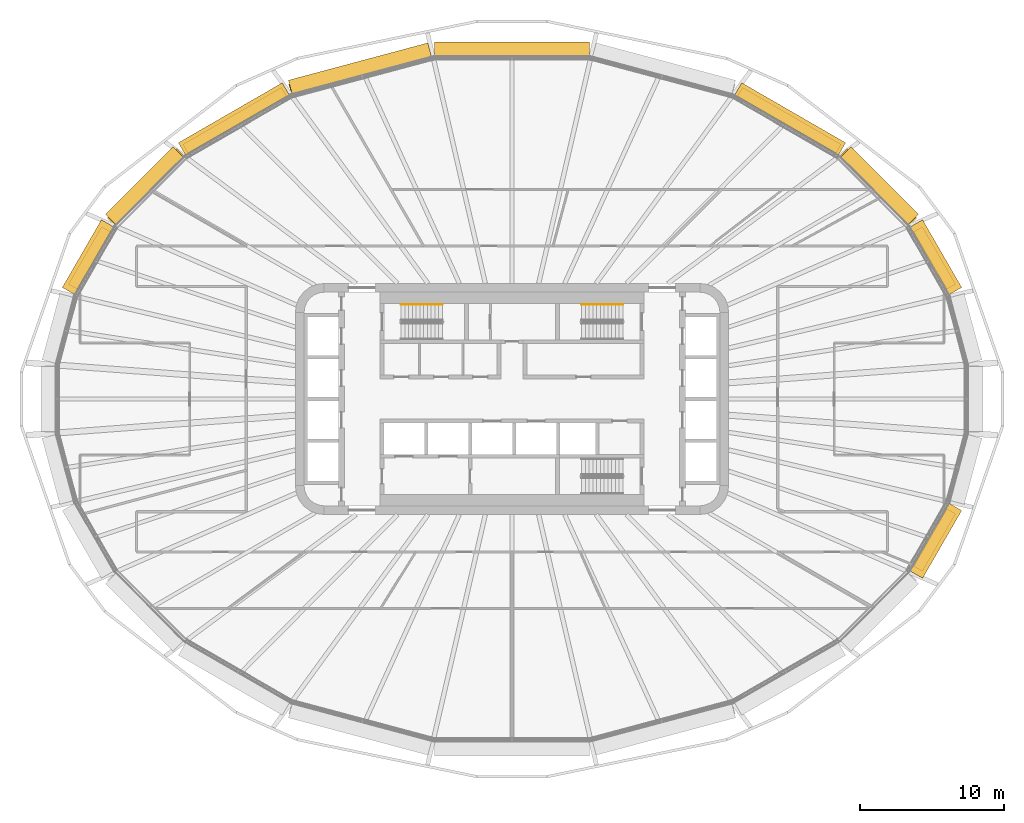
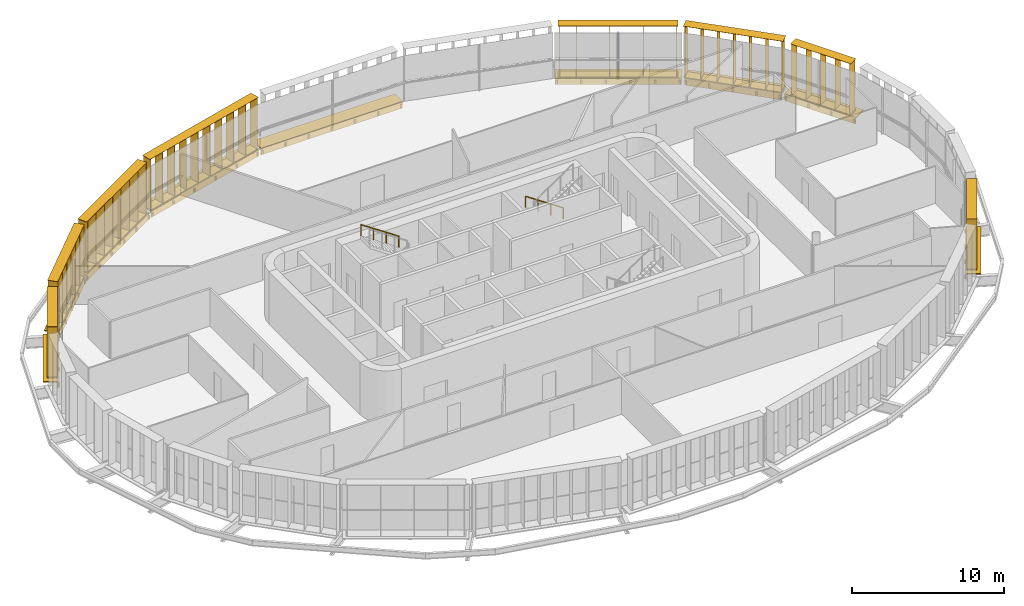
# One storey, part 24 of 25: 17 shading devices, 2 railings.
"""IFC4 building model written with IfcOpenShell, lengths in metres."""

from ifc_helpers import new_model, si_unit, direction, frame, origin, origin_2d, place, context, subcontext, project, spatial, rectangle, circle, extrude, material, type_object, element, save


model = new_model("IFC4")

# Units and contexts
model_context = context("Model", 3, precision=1e-05, world=origin(), true_north=direction((0.0, 1.0)))
body_context = subcontext(model_context, "Body", "Model", "MODEL_VIEW")
ifc_project = project(units=[si_unit("LENGTHUNIT", "METRE"), si_unit("AREAUNIT", "SQUARE_METRE"), si_unit("VOLUMEUNIT", "CUBIC_METRE"), si_unit("PLANEANGLEUNIT", "RADIAN"), si_unit("MASSUNIT", "GRAM", prefix="KILO")], contexts=[model_context])

# Site, building, storey
site_placement = place(None, origin())
site = spatial("IfcSite", under=ifc_project, at=site_placement, CompositionType="ELEMENT")
building_placement = place(site_placement, origin())
building = spatial("IfcBuilding", under=site, at=building_placement, Name="Sahrelin Media Tower", CompositionType="ELEMENT")
storey_placement = place(building_placement, frame((0.0, 0.0, 144.0)))
storey = spatial("IfcBuildingStorey", under=building, at=storey_placement, Name="L29", CompositionType="ELEMENT", Elevation=144.0)

# Shading devices
ifc_material_1 = material(Name="Champagne anodised aluminium 6063-T6", Category="aluminium")
shading_device_type_1 = type_object("IfcShadingDeviceType", Name="Fin cassette", PredefinedType="USERDEFINED", material=ifc_material_1)
placement_1 = place(storey_placement, frame((28.8984375, 9.5546875, 0.0), z_axis=(0.0, 0.0, 1.0), x_axis=(0.500011000363, -0.866019052629, 0.0)))
element("IfcShadingDevice", 1, at=placement_1, inside=storey, type_object=shading_device_type_1, Name="L29:FIN:L29-02", ObjectType="FIN", PredefinedType="USERDEFINED", context=body_context, shape_type="SweptSolid", body=[
    extrude(rectangle(XDim=4.60009765625, YDim=0.699951171875, at=origin_2d()), frame((0.0, 0.419921875, 0.0)), (0.0, 0.0, 1.0), 0.02001953125),
    extrude(rectangle(XDim=4.60009765625, YDim=0.699951171875, at=origin_2d()), frame((0.0, 0.419921875, 4.10009765625)), (0.0, 0.0, 1.0), 0.02001953125),
    extrude(rectangle(XDim=0.02001953125, YDim=0.699951171875, at=origin_2d()), frame((-2.199951171875, 0.419921875, 0.010009765625), z_axis=(0.0, 0.0, 1.0), x_axis=(1.0, 0.0, 0.0)), (0.0, 0.0, 1.0), 4.10009765625),
    extrude(rectangle(XDim=0.02001953125, YDim=0.699951171875, at=origin_2d()), frame((-1.10009765625, 0.419921875, 0.010009765625), z_axis=(0.0, 0.0, 1.0), x_axis=(1.0, 0.0, 0.0)), (0.0, 0.0, 1.0), 4.10009765625),
    extrude(rectangle(XDim=0.02001953125, YDim=0.699951171875, at=origin_2d()), frame((0.0, 0.419921875, 0.010009765625), z_axis=(0.0, 0.0, 1.0), x_axis=(1.0, 0.0, 0.0)), (0.0, 0.0, 1.0), 4.10009765625),
    extrude(rectangle(XDim=0.02001953125, YDim=0.699951171875, at=origin_2d()), frame((1.10009765625, 0.419921875, 0.010009765625), z_axis=(0.0, 0.0, 1.0), x_axis=(1.0, 0.0, 0.0)), (0.0, 0.0, 1.0), 4.10009765625),
    extrude(rectangle(XDim=0.02001953125, YDim=0.699951171875, at=origin_2d()), frame((2.199951171875, 0.419921875, 0.010009765625), z_axis=(0.0, 0.0, 1.0), x_axis=(1.0, 0.0, 0.0)), (0.0, 0.0, 1.0), 4.10009765625),
])
placement_2 = place(storey_placement, frame((25.08349609375, 14.39697265625, 0.0), z_axis=(0.0, 0.0, 1.0), x_axis=(0.707106781187, -0.707106781187, 0.0)))
element("IfcShadingDevice", 2, at=placement_2, inside=storey, type_object=shading_device_type_1, Name="L29:FIN:L29-03", ObjectType="FIN", PredefinedType="USERDEFINED", context=body_context, shape_type="SweptSolid", body=[
    extrude(rectangle(XDim=6.800048828125, YDim=0.699951171875, at=origin_2d()), frame((0.0, 0.419921875, 0.0)), (0.0, 0.0, 1.0), 0.02001953125),
    extrude(rectangle(XDim=6.800048828125, YDim=0.699951171875, at=origin_2d()), frame((0.0, 0.419921875, 4.10009765625)), (0.0, 0.0, 1.0), 0.02001953125),
    extrude(rectangle(XDim=0.02001953125, YDim=0.699951171875, at=origin_2d()), frame((-3.300048828125, 0.419921875, 0.010009765625), z_axis=(0.0, 0.0, 1.0), x_axis=(1.0, 0.0, 0.0)), (0.0, 0.0, 1.0), 4.10009765625),
    extrude(rectangle(XDim=0.02001953125, YDim=0.699951171875, at=origin_2d()), frame((-2.199951171875, 0.419921875, 0.010009765625), z_axis=(0.0, 0.0, 1.0), x_axis=(1.0, 0.0, 0.0)), (0.0, 0.0, 1.0), 4.10009765625),
    extrude(rectangle(XDim=0.02001953125, YDim=0.699951171875, at=origin_2d()), frame((-1.10009765625, 0.419921875, 0.010009765625), z_axis=(0.0, 0.0, 1.0), x_axis=(1.0, 0.0, 0.0)), (0.0, 0.0, 1.0), 4.10009765625),
    extrude(rectangle(XDim=0.02001953125, YDim=0.699951171875, at=origin_2d()), frame((0.0, 0.419921875, 0.010009765625), z_axis=(0.0, 0.0, 1.0), x_axis=(1.0, 0.0, 0.0)), (0.0, 0.0, 1.0), 4.10009765625),
    extrude(rectangle(XDim=0.02001953125, YDim=0.699951171875, at=origin_2d()), frame((1.10009765625, 0.419921875, 0.010009765625), z_axis=(0.0, 0.0, 1.0), x_axis=(1.0, 0.0, 0.0)), (0.0, 0.0, 1.0), 4.10009765625),
    extrude(rectangle(XDim=0.02001953125, YDim=0.699951171875, at=origin_2d()), frame((2.199951171875, 0.419921875, 0.010009765625), z_axis=(0.0, 0.0, 1.0), x_axis=(1.0, 0.0, 0.0)), (0.0, 0.0, 1.0), 4.10009765625),
    extrude(rectangle(XDim=0.02001953125, YDim=0.699951171875, at=origin_2d()), frame((3.300048828125, 0.419921875, 0.010009765625), z_axis=(0.0, 0.0, 1.0), x_axis=(1.0, 0.0, 0.0)), (0.0, 0.0, 1.0), 4.10009765625),
])
placement_3 = place(storey_placement, frame((18.990966796875, 18.93359375, 0.0), z_axis=(0.0, 0.0, 1.0), x_axis=(0.866019052629, -0.500011000363, 0.0)))
element("IfcShadingDevice", 3, at=placement_3, inside=storey, type_object=shading_device_type_1, Name="L29:FIN:L29-04", ObjectType="FIN", PredefinedType="USERDEFINED", context=body_context, shape_type="SweptSolid", body=[
    extrude(rectangle(XDim=7.89990234375, YDim=0.699951171875, at=origin_2d()), frame((0.0, 0.419921875, 0.0)), (0.0, 0.0, 1.0), 0.02001953125),
    extrude(rectangle(XDim=7.89990234375, YDim=0.699951171875, at=origin_2d()), frame((0.0, 0.419921875, 4.10009765625)), (0.0, 0.0, 1.0), 0.02001953125),
    extrude(rectangle(XDim=0.02001953125, YDim=0.699951171875, at=origin_2d()), frame((-3.85009765625, 0.419921875, 0.010009765625), z_axis=(0.0, 0.0, 1.0), x_axis=(1.0, 0.0, 0.0)), (0.0, 0.0, 1.0), 4.10009765625),
    extrude(rectangle(XDim=0.02001953125, YDim=0.699951171875, at=origin_2d()), frame((-2.75, 0.419921875, 0.010009765625), z_axis=(0.0, 0.0, 1.0), x_axis=(1.0, 0.0, 0.0)), (0.0, 0.0, 1.0), 4.10009765625),
    extrude(rectangle(XDim=0.02001953125, YDim=0.699951171875, at=origin_2d()), frame((-1.64990234375, 0.419921875, 0.010009765625), z_axis=(0.0, 0.0, 1.0), x_axis=(1.0, 0.0, 0.0)), (0.0, 0.0, 1.0), 4.10009765625),
    extrude(rectangle(XDim=0.02001953125, YDim=0.699951171875, at=origin_2d()), frame((-0.550048828125, 0.419921875, 0.010009765625), z_axis=(0.0, 0.0, 1.0), x_axis=(1.0, 0.0, 0.0)), (0.0, 0.0, 1.0), 4.10009765625),
    extrude(rectangle(XDim=0.02001953125, YDim=0.699951171875, at=origin_2d()), frame((0.550048828125, 0.419921875, 0.010009765625), z_axis=(0.0, 0.0, 1.0), x_axis=(1.0, 0.0, 0.0)), (0.0, 0.0, 1.0), 4.10009765625),
    extrude(rectangle(XDim=0.02001953125, YDim=0.699951171875, at=origin_2d()), frame((1.64990234375, 0.419921875, 0.010009765625), z_axis=(0.0, 0.0, 1.0), x_axis=(1.0, 0.0, 0.0)), (0.0, 0.0, 1.0), 4.10009765625),
    extrude(rectangle(XDim=0.02001953125, YDim=0.699951171875, at=origin_2d()), frame((2.75, 0.419921875, 0.010009765625), z_axis=(0.0, 0.0, 1.0), x_axis=(1.0, 0.0, 0.0)), (0.0, 0.0, 1.0), 4.10009765625),
    extrude(rectangle(XDim=0.02001953125, YDim=0.699951171875, at=origin_2d()), frame((3.85009765625, 0.419921875, 0.010009765625), z_axis=(0.0, 0.0, 1.0), x_axis=(1.0, 0.0, 0.0)), (0.0, 0.0, 1.0), 4.10009765625),
])
placement_4 = place(storey_placement, frame((-10.389404296875, 22.377197265625, 0.0), z_axis=(0.0, 0.0, 1.0), x_axis=(0.965928857556, 0.258807731996, 0.0)))
element("IfcShadingDevice", 4, at=placement_4, inside=storey, type_object=shading_device_type_1, Name="L29:FIN:L29-07", ObjectType="FIN", PredefinedType="USERDEFINED", context=body_context, shape_type="SweptSolid", body=[
    extrude(rectangle(XDim=10.10009765625, YDim=0.699951171875, at=origin_2d()), frame((0.0, 0.419921875, 0.0)), (0.0, 0.0, 1.0), 0.02001953125),
    extrude(rectangle(XDim=10.10009765625, YDim=0.699951171875, at=origin_2d()), frame((0.0, 0.419921875, 4.10009765625)), (0.0, 0.0, 1.0), 0.02001953125),
    extrude(rectangle(XDim=0.02001953125, YDim=0.699951171875, at=origin_2d()), frame((-4.949951171875, 0.419921875, 0.010009765625), z_axis=(0.0, 0.0, 1.0), x_axis=(1.0, 0.0, 0.0)), (0.0, 0.0, 1.0), 4.10009765625),
    extrude(rectangle(XDim=0.02001953125, YDim=0.699951171875, at=origin_2d()), frame((-3.85009765625, 0.419921875, 0.010009765625), z_axis=(0.0, 0.0, 1.0), x_axis=(1.0, 0.0, 0.0)), (0.0, 0.0, 1.0), 4.10009765625),
    extrude(rectangle(XDim=0.02001953125, YDim=0.699951171875, at=origin_2d()), frame((-2.75, 0.419921875, 0.010009765625), z_axis=(0.0, 0.0, 1.0), x_axis=(1.0, 0.0, 0.0)), (0.0, 0.0, 1.0), 4.10009765625),
    extrude(rectangle(XDim=0.02001953125, YDim=0.699951171875, at=origin_2d()), frame((-1.64990234375, 0.419921875, 0.010009765625), z_axis=(0.0, 0.0, 1.0), x_axis=(1.0, 0.0, 0.0)), (0.0, 0.0, 1.0), 4.10009765625),
    extrude(rectangle(XDim=0.02001953125, YDim=0.699951171875, at=origin_2d()), frame((-0.550048828125, 0.419921875, 0.010009765625), z_axis=(0.0, 0.0, 1.0), x_axis=(1.0, 0.0, 0.0)), (0.0, 0.0, 1.0), 4.10009765625),
    extrude(rectangle(XDim=0.02001953125, YDim=0.699951171875, at=origin_2d()), frame((0.550048828125, 0.419921875, 0.010009765625), z_axis=(0.0, 0.0, 1.0), x_axis=(1.0, 0.0, 0.0)), (0.0, 0.0, 1.0), 4.10009765625),
    extrude(rectangle(XDim=0.02001953125, YDim=0.699951171875, at=origin_2d()), frame((1.64990234375, 0.419921875, 0.010009765625), z_axis=(0.0, 0.0, 1.0), x_axis=(1.0, 0.0, 0.0)), (0.0, 0.0, 1.0), 4.10009765625),
    extrude(rectangle(XDim=0.02001953125, YDim=0.699951171875, at=origin_2d()), frame((2.75, 0.419921875, 0.010009765625), z_axis=(0.0, 0.0, 1.0), x_axis=(1.0, 0.0, 0.0)), (0.0, 0.0, 1.0), 4.10009765625),
    extrude(rectangle(XDim=0.02001953125, YDim=0.699951171875, at=origin_2d()), frame((3.85009765625, 0.419921875, 0.010009765625), z_axis=(0.0, 0.0, 1.0), x_axis=(1.0, 0.0, 0.0)), (0.0, 0.0, 1.0), 4.10009765625),
    extrude(rectangle(XDim=0.02001953125, YDim=0.699951171875, at=origin_2d()), frame((4.949951171875, 0.419921875, 0.010009765625), z_axis=(0.0, 0.0, 1.0), x_axis=(1.0, 0.0, 0.0)), (0.0, 0.0, 1.0), 4.10009765625),
])
placement_5 = place(storey_placement, frame((-18.990966796875, 18.93359375, 0.0), z_axis=(0.0, 0.0, 1.0), x_axis=(0.866019052629, 0.500011000363, 0.0)))
element("IfcShadingDevice", 5, at=placement_5, inside=storey, type_object=shading_device_type_1, Name="L29:FIN:L29-08", ObjectType="FIN", PredefinedType="USERDEFINED", context=body_context, shape_type="SweptSolid", body=[
    extrude(rectangle(XDim=7.89990234375, YDim=0.699951171875, at=origin_2d()), frame((0.0, 0.419921875, 0.0)), (0.0, 0.0, 1.0), 0.02001953125),
    extrude(rectangle(XDim=7.89990234375, YDim=0.699951171875, at=origin_2d()), frame((0.0, 0.419921875, 4.10009765625)), (0.0, 0.0, 1.0), 0.02001953125),
    extrude(rectangle(XDim=0.02001953125, YDim=0.699951171875, at=origin_2d()), frame((-3.85009765625, 0.419921875, 0.010009765625), z_axis=(0.0, 0.0, 1.0), x_axis=(1.0, 0.0, 0.0)), (0.0, 0.0, 1.0), 4.10009765625),
    extrude(rectangle(XDim=0.02001953125, YDim=0.699951171875, at=origin_2d()), frame((-2.75, 0.419921875, 0.010009765625), z_axis=(0.0, 0.0, 1.0), x_axis=(1.0, 0.0, 0.0)), (0.0, 0.0, 1.0), 4.10009765625),
    extrude(rectangle(XDim=0.02001953125, YDim=0.699951171875, at=origin_2d()), frame((-1.64990234375, 0.419921875, 0.010009765625), z_axis=(0.0, 0.0, 1.0), x_axis=(1.0, 0.0, 0.0)), (0.0, 0.0, 1.0), 4.10009765625),
    extrude(rectangle(XDim=0.02001953125, YDim=0.699951171875, at=origin_2d()), frame((-0.550048828125, 0.419921875, 0.010009765625), z_axis=(0.0, 0.0, 1.0), x_axis=(1.0, 0.0, 0.0)), (0.0, 0.0, 1.0), 4.10009765625),
    extrude(rectangle(XDim=0.02001953125, YDim=0.699951171875, at=origin_2d()), frame((0.550048828125, 0.419921875, 0.010009765625), z_axis=(0.0, 0.0, 1.0), x_axis=(1.0, 0.0, 0.0)), (0.0, 0.0, 1.0), 4.10009765625),
    extrude(rectangle(XDim=0.02001953125, YDim=0.699951171875, at=origin_2d()), frame((1.64990234375, 0.419921875, 0.010009765625), z_axis=(0.0, 0.0, 1.0), x_axis=(1.0, 0.0, 0.0)), (0.0, 0.0, 1.0), 4.10009765625),
    extrude(rectangle(XDim=0.02001953125, YDim=0.699951171875, at=origin_2d()), frame((2.75, 0.419921875, 0.010009765625), z_axis=(0.0, 0.0, 1.0), x_axis=(1.0, 0.0, 0.0)), (0.0, 0.0, 1.0), 4.10009765625),
    extrude(rectangle(XDim=0.02001953125, YDim=0.699951171875, at=origin_2d()), frame((3.85009765625, 0.419921875, 0.010009765625), z_axis=(0.0, 0.0, 1.0), x_axis=(1.0, 0.0, 0.0)), (0.0, 0.0, 1.0), 4.10009765625),
])
placement_6 = place(storey_placement, frame((-25.08349609375, 14.396728515625, 0.0), z_axis=(0.0, 0.0, 1.0), x_axis=(0.707106781187, 0.707106781187, 0.0)))
element("IfcShadingDevice", 6, at=placement_6, inside=storey, type_object=shading_device_type_1, Name="L29:FIN:L29-09", ObjectType="FIN", PredefinedType="USERDEFINED", context=body_context, shape_type="SweptSolid", body=[
    extrude(rectangle(XDim=6.800048828125, YDim=0.699951171875, at=origin_2d()), frame((0.0, 0.419921875, 0.0)), (0.0, 0.0, 1.0), 0.02001953125),
    extrude(rectangle(XDim=6.800048828125, YDim=0.699951171875, at=origin_2d()), frame((0.0, 0.419921875, 4.10009765625)), (0.0, 0.0, 1.0), 0.02001953125),
    extrude(rectangle(XDim=0.02001953125, YDim=0.699951171875, at=origin_2d()), frame((-3.300048828125, 0.419921875, 0.010009765625), z_axis=(0.0, 0.0, 1.0), x_axis=(1.0, 0.0, 0.0)), (0.0, 0.0, 1.0), 4.10009765625),
    extrude(rectangle(XDim=0.02001953125, YDim=0.699951171875, at=origin_2d()), frame((-2.199951171875, 0.419921875, 0.010009765625), z_axis=(0.0, 0.0, 1.0), x_axis=(1.0, 0.0, 0.0)), (0.0, 0.0, 1.0), 4.10009765625),
    extrude(rectangle(XDim=0.02001953125, YDim=0.699951171875, at=origin_2d()), frame((-1.10009765625, 0.419921875, 0.010009765625), z_axis=(0.0, 0.0, 1.0), x_axis=(1.0, 0.0, 0.0)), (0.0, 0.0, 1.0), 4.10009765625),
    extrude(rectangle(XDim=0.02001953125, YDim=0.699951171875, at=origin_2d()), frame((0.0, 0.419921875, 0.010009765625), z_axis=(0.0, 0.0, 1.0), x_axis=(1.0, 0.0, 0.0)), (0.0, 0.0, 1.0), 4.10009765625),
    extrude(rectangle(XDim=0.02001953125, YDim=0.699951171875, at=origin_2d()), frame((1.10009765625, 0.419921875, 0.010009765625), z_axis=(0.0, 0.0, 1.0), x_axis=(1.0, 0.0, 0.0)), (0.0, 0.0, 1.0), 4.10009765625),
    extrude(rectangle(XDim=0.02001953125, YDim=0.699951171875, at=origin_2d()), frame((2.199951171875, 0.419921875, 0.010009765625), z_axis=(0.0, 0.0, 1.0), x_axis=(1.0, 0.0, 0.0)), (0.0, 0.0, 1.0), 4.10009765625),
    extrude(rectangle(XDim=0.02001953125, YDim=0.699951171875, at=origin_2d()), frame((3.300048828125, 0.419921875, 0.010009765625), z_axis=(0.0, 0.0, 1.0), x_axis=(1.0, 0.0, 0.0)), (0.0, 0.0, 1.0), 4.10009765625),
])
placement_7 = place(storey_placement, frame((-28.8984375, 9.5546875, 0.0), z_axis=(0.0, 0.0, 1.0), x_axis=(0.500011000363, 0.866019052629, 0.0)))
element("IfcShadingDevice", 7, at=placement_7, inside=storey, type_object=shading_device_type_1, Name="L29:FIN:L29-10", ObjectType="FIN", PredefinedType="USERDEFINED", context=body_context, shape_type="SweptSolid", body=[
    extrude(rectangle(XDim=4.60009765625, YDim=0.699951171875, at=origin_2d()), frame((0.0, 0.419921875, 0.0)), (0.0, 0.0, 1.0), 0.02001953125),
    extrude(rectangle(XDim=4.60009765625, YDim=0.699951171875, at=origin_2d()), frame((0.0, 0.419921875, 4.10009765625)), (0.0, 0.0, 1.0), 0.02001953125),
    extrude(rectangle(XDim=0.02001953125, YDim=0.699951171875, at=origin_2d()), frame((-2.199951171875, 0.419921875, 0.010009765625), z_axis=(0.0, 0.0, 1.0), x_axis=(1.0, 0.0, 0.0)), (0.0, 0.0, 1.0), 4.10009765625),
    extrude(rectangle(XDim=0.02001953125, YDim=0.699951171875, at=origin_2d()), frame((-1.10009765625, 0.419921875, 0.010009765625), z_axis=(0.0, 0.0, 1.0), x_axis=(1.0, 0.0, 0.0)), (0.0, 0.0, 1.0), 4.10009765625),
    extrude(rectangle(XDim=0.02001953125, YDim=0.699951171875, at=origin_2d()), frame((0.0, 0.419921875, 0.010009765625), z_axis=(0.0, 0.0, 1.0), x_axis=(1.0, 0.0, 0.0)), (0.0, 0.0, 1.0), 4.10009765625),
    extrude(rectangle(XDim=0.02001953125, YDim=0.699951171875, at=origin_2d()), frame((1.10009765625, 0.419921875, 0.010009765625), z_axis=(0.0, 0.0, 1.0), x_axis=(1.0, 0.0, 0.0)), (0.0, 0.0, 1.0), 4.10009765625),
    extrude(rectangle(XDim=0.02001953125, YDim=0.699951171875, at=origin_2d()), frame((2.199951171875, 0.419921875, 0.010009765625), z_axis=(0.0, 0.0, 1.0), x_axis=(1.0, 0.0, 0.0)), (0.0, 0.0, 1.0), 4.10009765625),
])
placement_8 = place(storey_placement, frame((28.8984375, -9.5546875, 0.0), z_axis=(0.0, 0.0, 1.0), x_axis=(-0.500011000363, -0.866019052629, 0.0)))
element("IfcShadingDevice", 8, at=placement_8, inside=storey, type_object=shading_device_type_1, Name="L29:FIN:L29-22", ObjectType="FIN", PredefinedType="USERDEFINED", context=body_context, shape_type="SweptSolid", body=[
    extrude(rectangle(XDim=4.60009765625, YDim=0.699951171875, at=origin_2d()), frame((0.0, 0.419921875, 0.0)), (0.0, 0.0, 1.0), 0.02001953125),
    extrude(rectangle(XDim=4.60009765625, YDim=0.699951171875, at=origin_2d()), frame((0.0, 0.419921875, 4.10009765625)), (0.0, 0.0, 1.0), 0.02001953125),
    extrude(rectangle(XDim=0.02001953125, YDim=0.699951171875, at=origin_2d()), frame((-2.199951171875, 0.419921875, 0.010009765625), z_axis=(0.0, 0.0, 1.0), x_axis=(1.0, 0.0, 0.0)), (0.0, 0.0, 1.0), 4.10009765625),
    extrude(rectangle(XDim=0.02001953125, YDim=0.699951171875, at=origin_2d()), frame((-1.10009765625, 0.419921875, 0.010009765625), z_axis=(0.0, 0.0, 1.0), x_axis=(1.0, 0.0, 0.0)), (0.0, 0.0, 1.0), 4.10009765625),
    extrude(rectangle(XDim=0.02001953125, YDim=0.699951171875, at=origin_2d()), frame((0.0, 0.419921875, 0.010009765625), z_axis=(0.0, 0.0, 1.0), x_axis=(1.0, 0.0, 0.0)), (0.0, 0.0, 1.0), 4.10009765625),
    extrude(rectangle(XDim=0.02001953125, YDim=0.699951171875, at=origin_2d()), frame((1.10009765625, 0.419921875, 0.010009765625), z_axis=(0.0, 0.0, 1.0), x_axis=(1.0, 0.0, 0.0)), (0.0, 0.0, 1.0), 4.10009765625),
    extrude(rectangle(XDim=0.02001953125, YDim=0.699951171875, at=origin_2d()), frame((2.199951171875, 0.419921875, 0.010009765625), z_axis=(0.0, 0.0, 1.0), x_axis=(1.0, 0.0, 0.0)), (0.0, 0.0, 1.0), 4.10009765625),
])

# Railings
ifc_material_2 = material(Name="Steel S355", Category="steel")
railing_type = type_object("IfcRailingType", Name="Stair handrail 900", PredefinedType="HANDRAIL", material=ifc_material_2)
for number, where, name in (
    (9, (-4.81494140625, 6.550048828125, 2.27490234375), "L29 ST1 stair handrail 2"),
    (10, (7.675048828125, 6.550048828125, 0.175048828125), "L29 ST3 stair handrail 1"),
):
    element("IfcRailing", number, at=place(storey_placement, frame(where)), inside=storey, type_object=railing_type, Name=name, PredefinedType="HANDRAIL", context=body_context, shape_type="SweptSolid", body=[
        extrude(circle(Radius=0.02392578125, at=origin_2d()), frame((0.0, 0.0, 0.8759765625), z_axis=(-0.829590901723, 0.0, 0.558371682465), x_axis=(0.0, -1.0, 0.0)), (0.0, 0.0, 1.0), 3.447509765625),
        extrude(circle(Radius=0.02099609375, at=origin_2d()), origin(), (0.0, 0.0, 1.0), 0.851806640625),
        extrude(circle(Radius=0.02099609375, at=origin_2d()), frame((-0.953369140625, 0.0, 0.6416015625)), (0.0, 0.0, 1.0), 0.851806640625),
        extrude(circle(Radius=0.02099609375, at=origin_2d()), frame((-1.90673828125, 0.0, 1.283447265625)), (0.0, 0.0, 1.0), 0.851806640625),
        extrude(circle(Radius=0.02099609375, at=origin_2d()), frame((-2.860107421875, 0.0, 1.925048828125)), (0.0, 0.0, 1.0), 0.851806640625),
    ])

# Shading devices
shading_device_type_2 = type_object("IfcShadingDeviceType", Name="Sunshade band", PredefinedType="USERDEFINED", material=ifc_material_1)
element("IfcShadingDevice", 11, at=placement_1, inside=storey, type_object=shading_device_type_2, Name="L29:SUN:L29-02", ObjectType="SUNSHADE", PredefinedType="USERDEFINED", context=body_context, shape_type="SweptSolid", body=[
    extrude(rectangle(XDim=5.413818359375, YDim=0.050048828125, at=origin_2d()), frame((0.0, 0.044921875, -0.55126953125)), (0.0, 0.0, 1.0), 0.471435546875),
    extrude(rectangle(XDim=5.413818359375, YDim=1.0, at=origin_2d()), frame((0.0, 0.52001953125, -0.080078125)), (0.0, 0.0, 1.0), 0.080078125),
    extrude(rectangle(XDim=0.10009765625, YDim=0.074951171875, at=origin_2d()), frame((-2.606689453125, -0.017578125, -0.47021484375)), (0.0, 0.0, 1.0), 0.300048828125),
    extrude(rectangle(XDim=0.10009765625, YDim=0.074951171875, at=origin_2d()), frame((-0.868896484375, -0.017578125, -0.47021484375)), (0.0, 0.0, 1.0), 0.300048828125),
    extrude(rectangle(XDim=0.10009765625, YDim=0.074951171875, at=origin_2d()), frame((0.868896484375, -0.017578125, -0.47021484375)), (0.0, 0.0, 1.0), 0.300048828125),
    extrude(rectangle(XDim=0.10009765625, YDim=0.074951171875, at=origin_2d()), frame((2.606689453125, -0.017578125, -0.47021484375)), (0.0, 0.0, 1.0), 0.300048828125),
])
element("IfcShadingDevice", 12, at=placement_2, inside=storey, type_object=shading_device_type_2, Name="L29:SUN:L29-03", ObjectType="SUNSHADE", PredefinedType="USERDEFINED", context=body_context, shape_type="SweptSolid", body=[
    extrude(rectangle(XDim=6.62060546875, YDim=0.050048828125, at=origin_2d()), frame((0.0, 0.044921875, -0.55126953125)), (0.0, 0.0, 1.0), 0.471435546875),
    extrude(rectangle(XDim=6.62060546875, YDim=1.0, at=origin_2d()), frame((0.0, 0.52001953125, -0.080078125)), (0.0, 0.0, 1.0), 0.080078125),
    extrude(rectangle(XDim=0.10009765625, YDim=0.074951171875, at=origin_2d()), frame((-3.210205078125, -0.017578125, -0.47021484375)), (0.0, 0.0, 1.0), 0.300048828125),
    extrude(rectangle(XDim=0.10009765625, YDim=0.074951171875, at=origin_2d()), frame((-1.605224609375, -0.017578125, -0.47021484375)), (0.0, 0.0, 1.0), 0.300048828125),
    extrude(rectangle(XDim=0.10009765625, YDim=0.074951171875, at=origin_2d()), frame((0.0, -0.017578125, -0.47021484375)), (0.0, 0.0, 1.0), 0.300048828125),
    extrude(rectangle(XDim=0.10009765625, YDim=0.074951171875, at=origin_2d()), frame((1.605224609375, -0.017578125, -0.47021484375)), (0.0, 0.0, 1.0), 0.300048828125),
    extrude(rectangle(XDim=0.10009765625, YDim=0.074951171875, at=origin_2d()), frame((3.210205078125, -0.017578125, -0.47021484375)), (0.0, 0.0, 1.0), 0.300048828125),
])
element("IfcShadingDevice", 13, at=placement_3, inside=storey, type_object=shading_device_type_2, Name="L29:SUN:L29-04", ObjectType="SUNSHADE", PredefinedType="USERDEFINED", context=body_context, shape_type="SweptSolid", body=[
    extrude(rectangle(XDim=8.30126953125, YDim=0.050048828125, at=origin_2d()), frame((0.0, 0.044921875, -0.55126953125)), (0.0, 0.0, 1.0), 0.471435546875),
    extrude(rectangle(XDim=8.30126953125, YDim=1.0, at=origin_2d()), frame((0.0, 0.52001953125, -0.080078125)), (0.0, 0.0, 1.0), 0.080078125),
    extrude(rectangle(XDim=0.10009765625, YDim=0.074951171875, at=origin_2d()), frame((-4.050537109375, -0.017578125, -0.47021484375)), (0.0, 0.0, 1.0), 0.300048828125),
    extrude(rectangle(XDim=0.10009765625, YDim=0.074951171875, at=origin_2d()), frame((-2.430419921875, -0.017578125, -0.47021484375)), (0.0, 0.0, 1.0), 0.300048828125),
    extrude(rectangle(XDim=0.10009765625, YDim=0.074951171875, at=origin_2d()), frame((-0.81005859375, -0.017578125, -0.47021484375)), (0.0, 0.0, 1.0), 0.300048828125),
    extrude(rectangle(XDim=0.10009765625, YDim=0.074951171875, at=origin_2d()), frame((0.81005859375, -0.017578125, -0.47021484375)), (0.0, 0.0, 1.0), 0.300048828125),
    extrude(rectangle(XDim=0.10009765625, YDim=0.074951171875, at=origin_2d()), frame((2.430419921875, -0.017578125, -0.47021484375)), (0.0, 0.0, 1.0), 0.300048828125),
    extrude(rectangle(XDim=0.10009765625, YDim=0.074951171875, at=origin_2d()), frame((4.050537109375, -0.017578125, -0.47021484375)), (0.0, 0.0, 1.0), 0.300048828125),
])
shading_device_12_placement = place(storey_placement, frame((0.0, 23.69580078125, 0.0), z_axis=(0.0, 0.0, 1.0), x_axis=(1.0, 0.0, 0.0)))
element("IfcShadingDevice", 14, at=shading_device_12_placement, inside=storey, type_object=shading_device_type_2, Name="L29:SUN:L29-06", ObjectType="SUNSHADE", PredefinedType="USERDEFINED", context=body_context, shape_type="SweptSolid", body=[
    extrude(rectangle(XDim=10.73828125, YDim=0.050048828125, at=origin_2d()), frame((0.0, 0.044921875, -0.55126953125)), (0.0, 0.0, 1.0), 0.471435546875),
    extrude(rectangle(XDim=10.73828125, YDim=1.0, at=origin_2d()), frame((0.0, 0.52001953125, -0.080078125)), (0.0, 0.0, 1.0), 0.080078125),
    extrude(rectangle(XDim=0.10009765625, YDim=0.074951171875, at=origin_2d()), frame((-5.26904296875, -0.017578125, -0.47021484375)), (0.0, 0.0, 1.0), 0.300048828125),
    extrude(rectangle(XDim=0.10009765625, YDim=0.074951171875, at=origin_2d()), frame((-3.5126953125, -0.017578125, -0.47021484375)), (0.0, 0.0, 1.0), 0.300048828125),
    extrude(rectangle(XDim=0.10009765625, YDim=0.074951171875, at=origin_2d()), frame((-1.75634765625, -0.017578125, -0.47021484375)), (0.0, 0.0, 1.0), 0.300048828125),
    extrude(rectangle(XDim=0.10009765625, YDim=0.074951171875, at=origin_2d()), frame((0.0, -0.017578125, -0.47021484375)), (0.0, 0.0, 1.0), 0.300048828125),
    extrude(rectangle(XDim=0.10009765625, YDim=0.074951171875, at=origin_2d()), frame((1.75634765625, -0.017578125, -0.47021484375)), (0.0, 0.0, 1.0), 0.300048828125),
    extrude(rectangle(XDim=0.10009765625, YDim=0.074951171875, at=origin_2d()), frame((3.5126953125, -0.017578125, -0.47021484375)), (0.0, 0.0, 1.0), 0.300048828125),
    extrude(rectangle(XDim=0.10009765625, YDim=0.074951171875, at=origin_2d()), frame((5.26904296875, -0.017578125, -0.47021484375)), (0.0, 0.0, 1.0), 0.300048828125),
])
element("IfcShadingDevice", 15, at=placement_4, inside=storey, type_object=shading_device_type_2, Name="L29:SUN:L29-07", ObjectType="SUNSHADE", PredefinedType="USERDEFINED", context=body_context, shape_type="SweptSolid", body=[
    extrude(rectangle(XDim=9.98779296875, YDim=0.050048828125, at=origin_2d()), frame((0.0, 0.044921875, -0.55126953125)), (0.0, 0.0, 1.0), 0.471435546875),
    extrude(rectangle(XDim=9.98779296875, YDim=1.0, at=origin_2d()), frame((0.0, 0.52001953125, -0.080078125)), (0.0, 0.0, 1.0), 0.080078125),
    extrude(rectangle(XDim=0.10009765625, YDim=0.074951171875, at=origin_2d()), frame((-4.893798828125, -0.017578125, -0.47021484375)), (0.0, 0.0, 1.0), 0.300048828125),
    extrude(rectangle(XDim=0.10009765625, YDim=0.074951171875, at=origin_2d()), frame((-2.936279296875, -0.017578125, -0.47021484375)), (0.0, 0.0, 1.0), 0.300048828125),
    extrude(rectangle(XDim=0.10009765625, YDim=0.074951171875, at=origin_2d()), frame((-0.978759765625, -0.017578125, -0.47021484375)), (0.0, 0.0, 1.0), 0.300048828125),
    extrude(rectangle(XDim=0.10009765625, YDim=0.074951171875, at=origin_2d()), frame((0.978759765625, -0.017578125, -0.47021484375)), (0.0, 0.0, 1.0), 0.300048828125),
    extrude(rectangle(XDim=0.10009765625, YDim=0.074951171875, at=origin_2d()), frame((2.936279296875, -0.017578125, -0.47021484375)), (0.0, 0.0, 1.0), 0.300048828125),
    extrude(rectangle(XDim=0.10009765625, YDim=0.074951171875, at=origin_2d()), frame((4.893798828125, -0.017578125, -0.47021484375)), (0.0, 0.0, 1.0), 0.300048828125),
])
element("IfcShadingDevice", 16, at=placement_5, inside=storey, type_object=shading_device_type_2, Name="L29:SUN:L29-08", ObjectType="SUNSHADE", PredefinedType="USERDEFINED", context=body_context, shape_type="SweptSolid", body=[
    extrude(rectangle(XDim=8.30126953125, YDim=0.050048828125, at=origin_2d()), frame((0.0, 0.044921875, -0.55126953125)), (0.0, 0.0, 1.0), 0.471435546875),
    extrude(rectangle(XDim=8.30126953125, YDim=1.0, at=origin_2d()), frame((0.0, 0.52001953125, -0.080078125)), (0.0, 0.0, 1.0), 0.080078125),
    extrude(rectangle(XDim=0.10009765625, YDim=0.074951171875, at=origin_2d()), frame((-4.050537109375, -0.017578125, -0.47021484375)), (0.0, 0.0, 1.0), 0.300048828125),
    extrude(rectangle(XDim=0.10009765625, YDim=0.074951171875, at=origin_2d()), frame((-2.430419921875, -0.017578125, -0.47021484375)), (0.0, 0.0, 1.0), 0.300048828125),
    extrude(rectangle(XDim=0.10009765625, YDim=0.074951171875, at=origin_2d()), frame((-0.81005859375, -0.017578125, -0.47021484375)), (0.0, 0.0, 1.0), 0.300048828125),
    extrude(rectangle(XDim=0.10009765625, YDim=0.074951171875, at=origin_2d()), frame((0.81005859375, -0.017578125, -0.47021484375)), (0.0, 0.0, 1.0), 0.300048828125),
    extrude(rectangle(XDim=0.10009765625, YDim=0.074951171875, at=origin_2d()), frame((2.430419921875, -0.017578125, -0.47021484375)), (0.0, 0.0, 1.0), 0.300048828125),
    extrude(rectangle(XDim=0.10009765625, YDim=0.074951171875, at=origin_2d()), frame((4.050537109375, -0.017578125, -0.47021484375)), (0.0, 0.0, 1.0), 0.300048828125),
])
element("IfcShadingDevice", 17, at=placement_6, inside=storey, type_object=shading_device_type_2, Name="L29:SUN:L29-09", ObjectType="SUNSHADE", PredefinedType="USERDEFINED", context=body_context, shape_type="SweptSolid", body=[
    extrude(rectangle(XDim=6.62060546875, YDim=0.050048828125, at=origin_2d()), frame((0.0, 0.044921875, -0.55126953125)), (0.0, 0.0, 1.0), 0.471435546875),
    extrude(rectangle(XDim=6.62060546875, YDim=1.0, at=origin_2d()), frame((0.0, 0.52001953125, -0.080078125)), (0.0, 0.0, 1.0), 0.080078125),
    extrude(rectangle(XDim=0.10009765625, YDim=0.074951171875, at=origin_2d()), frame((-3.210205078125, -0.017578125, -0.47021484375)), (0.0, 0.0, 1.0), 0.300048828125),
    extrude(rectangle(XDim=0.10009765625, YDim=0.074951171875, at=origin_2d()), frame((-1.605224609375, -0.017578125, -0.47021484375)), (0.0, 0.0, 1.0), 0.300048828125),
    extrude(rectangle(XDim=0.10009765625, YDim=0.074951171875, at=origin_2d()), frame((0.0, -0.017578125, -0.47021484375)), (0.0, 0.0, 1.0), 0.300048828125),
    extrude(rectangle(XDim=0.10009765625, YDim=0.074951171875, at=origin_2d()), frame((1.605224609375, -0.017578125, -0.47021484375)), (0.0, 0.0, 1.0), 0.300048828125),
    extrude(rectangle(XDim=0.10009765625, YDim=0.074951171875, at=origin_2d()), frame((3.210205078125, -0.017578125, -0.47021484375)), (0.0, 0.0, 1.0), 0.300048828125),
])
element("IfcShadingDevice", 18, at=placement_7, inside=storey, type_object=shading_device_type_2, Name="L29:SUN:L29-10", ObjectType="SUNSHADE", PredefinedType="USERDEFINED", context=body_context, shape_type="SweptSolid", body=[
    extrude(rectangle(XDim=5.413818359375, YDim=0.050048828125, at=origin_2d()), frame((0.0, 0.044921875, -0.55126953125)), (0.0, 0.0, 1.0), 0.471435546875),
    extrude(rectangle(XDim=5.413818359375, YDim=1.0, at=origin_2d()), frame((0.0, 0.52001953125, -0.080078125)), (0.0, 0.0, 1.0), 0.080078125),
    extrude(rectangle(XDim=0.10009765625, YDim=0.074951171875, at=origin_2d()), frame((-2.606689453125, -0.017578125, -0.47021484375)), (0.0, 0.0, 1.0), 0.300048828125),
    extrude(rectangle(XDim=0.10009765625, YDim=0.074951171875, at=origin_2d()), frame((-0.868896484375, -0.017578125, -0.47021484375)), (0.0, 0.0, 1.0), 0.300048828125),
    extrude(rectangle(XDim=0.10009765625, YDim=0.074951171875, at=origin_2d()), frame((0.868896484375, -0.017578125, -0.47021484375)), (0.0, 0.0, 1.0), 0.300048828125),
    extrude(rectangle(XDim=0.10009765625, YDim=0.074951171875, at=origin_2d()), frame((2.606689453125, -0.017578125, -0.47021484375)), (0.0, 0.0, 1.0), 0.300048828125),
])
element("IfcShadingDevice", 19, at=placement_8, inside=storey, type_object=shading_device_type_2, Name="L29:SUN:L29-22", ObjectType="SUNSHADE", PredefinedType="USERDEFINED", context=body_context, shape_type="SweptSolid", body=[
    extrude(rectangle(XDim=5.413818359375, YDim=0.050048828125, at=origin_2d()), frame((0.0, 0.044921875, -0.55126953125)), (0.0, 0.0, 1.0), 0.471435546875),
    extrude(rectangle(XDim=5.413818359375, YDim=1.0, at=origin_2d()), frame((0.0, 0.52001953125, -0.080078125)), (0.0, 0.0, 1.0), 0.080078125),
    extrude(rectangle(XDim=0.10009765625, YDim=0.074951171875, at=origin_2d()), frame((-2.606689453125, -0.017578125, -0.47021484375)), (0.0, 0.0, 1.0), 0.300048828125),
    extrude(rectangle(XDim=0.10009765625, YDim=0.074951171875, at=origin_2d()), frame((-0.868896484375, -0.017578125, -0.47021484375)), (0.0, 0.0, 1.0), 0.300048828125),
    extrude(rectangle(XDim=0.10009765625, YDim=0.074951171875, at=origin_2d()), frame((0.868896484375, -0.017578125, -0.47021484375)), (0.0, 0.0, 1.0), 0.300048828125),
    extrude(rectangle(XDim=0.10009765625, YDim=0.074951171875, at=origin_2d()), frame((2.606689453125, -0.017578125, -0.47021484375)), (0.0, 0.0, 1.0), 0.300048828125),
])

save(model, "model.ifc")
